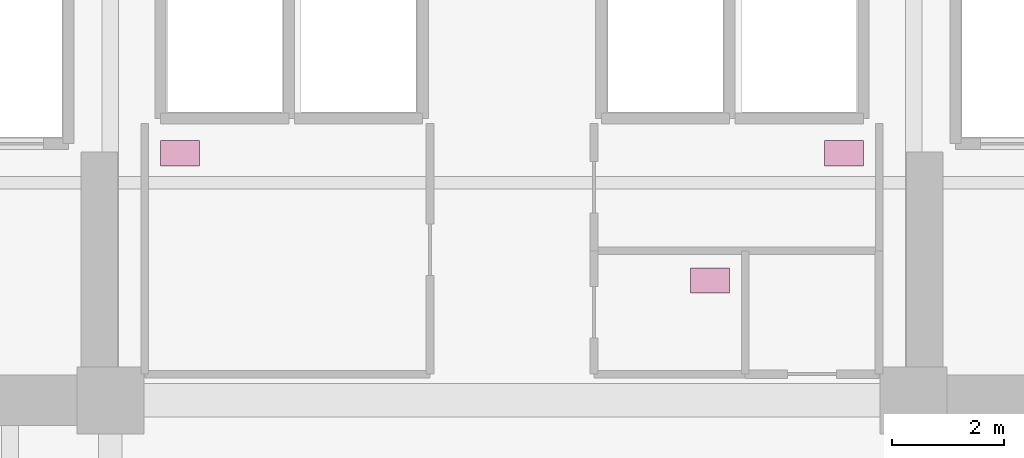
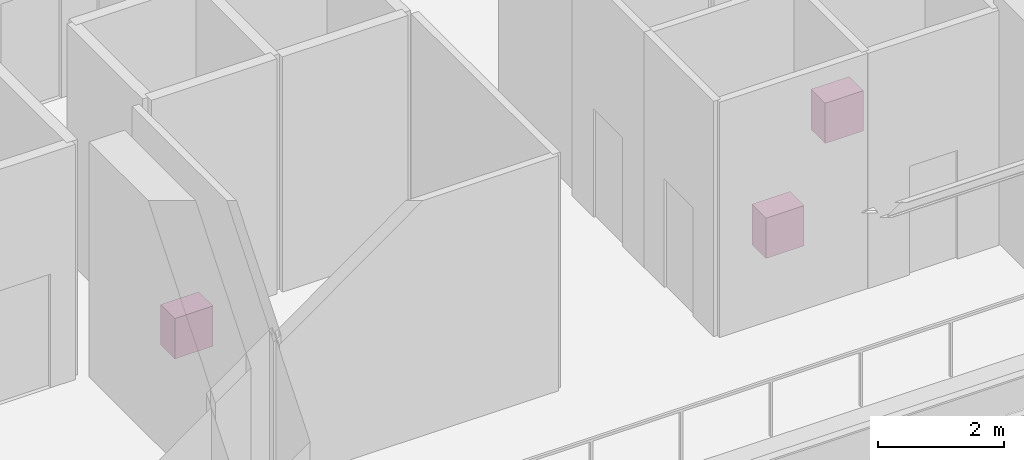
# One storey, part 22 of 22: 3 furnishings.
"""IFC4 building model written with IfcOpenShell, lengths in metres."""

from ifc_helpers import new_model, si_unit, direction, frame, origin, origin_2d, place, context, subcontext, project, spatial, rectangle, extrude, source, transform, mapped, material, type_object, element, save


model = new_model("IFC4")

# Units and contexts
model_context = context("Model", 3, precision=1e-05, world=origin(), true_north=direction((0.0, 1.0)))
body_context = subcontext(model_context, "Body", "Model", "MODEL_VIEW")
ifc_project = project(units=[si_unit("LENGTHUNIT", "METRE"), si_unit("AREAUNIT", "SQUARE_METRE"), si_unit("VOLUMEUNIT", "CUBIC_METRE"), si_unit("PLANEANGLEUNIT", "RADIAN"), si_unit("MASSUNIT", "GRAM", prefix="KILO")], contexts=[model_context])

# Site, building, storey
site_placement = place(None, origin())
site = spatial("IfcSite", under=ifc_project, at=site_placement, CompositionType="ELEMENT")
building_placement = place(site_placement, origin())
building = spatial("IfcBuilding", under=site, at=building_placement, Name="Zarnakvel Exchange Tower", CompositionType="ELEMENT")
storey_placement = place(building_placement, frame((0.0, 0.0, 22.60009765625)))
storey = spatial("IfcBuildingStorey", under=building, at=storey_placement, Name="L05", CompositionType="ELEMENT", Elevation=22.60009765625)

# Furnishings
ifc_material = material(Name="Vitreous China Sanitaryware", Category="ceramic")
furnishing_element_type = type_object("IfcFurnishingElementType", Name="SAN-WC", material=ifc_material)
shared_shape = source(origin(), body_context, "Body", "SweptSolid", [
    extrude(rectangle(XDim=0.699951171875, YDim=0.449951171875, at=origin_2d()), origin(), (0.0, 0.0, 1.0), 0.780029296875),
])
for number, where, z_axis, x_axis, name in (
    (1, (-5.949951171875, 3.22998046875, 0.0), (0.0, 0.0, 1.0), (1.0, 0.0, 0.0), "L05 Sanitary Fixture (Male Toilet)"),
    (2, (5.949951171875, 3.22998046875, 0.0), (0.0, 0.0, 1.0), (1.0, 0.0, 0.0), "L05 Sanitary Fixture (Female Toilet)"),
    (3, (3.550048828125, 0.949951171875, 0.0), (0.0, 0.0, 1.0), (1.0, 0.0, 0.0), "L05 Sanitary Fixture (Accessible Toilet)"),
):
    element("IfcFurnishingElement", number, at=place(storey_placement, frame(where, z_axis=z_axis, x_axis=x_axis)), inside=storey, type_object=furnishing_element_type, Name=name, ObjectType="SANITARY_FIXTURE", context=body_context, shape_type="MappedRepresentation", body=[
        mapped(shared_shape, transform((0.0, 0.0, 0.0), x_axis=(1.0, 0.0, 0.0), y_axis=(0.0, 1.0, 0.0), z_axis=(0.0, 0.0, 1.0), scale=1.0)),
    ])

save(model, "model.ifc")
